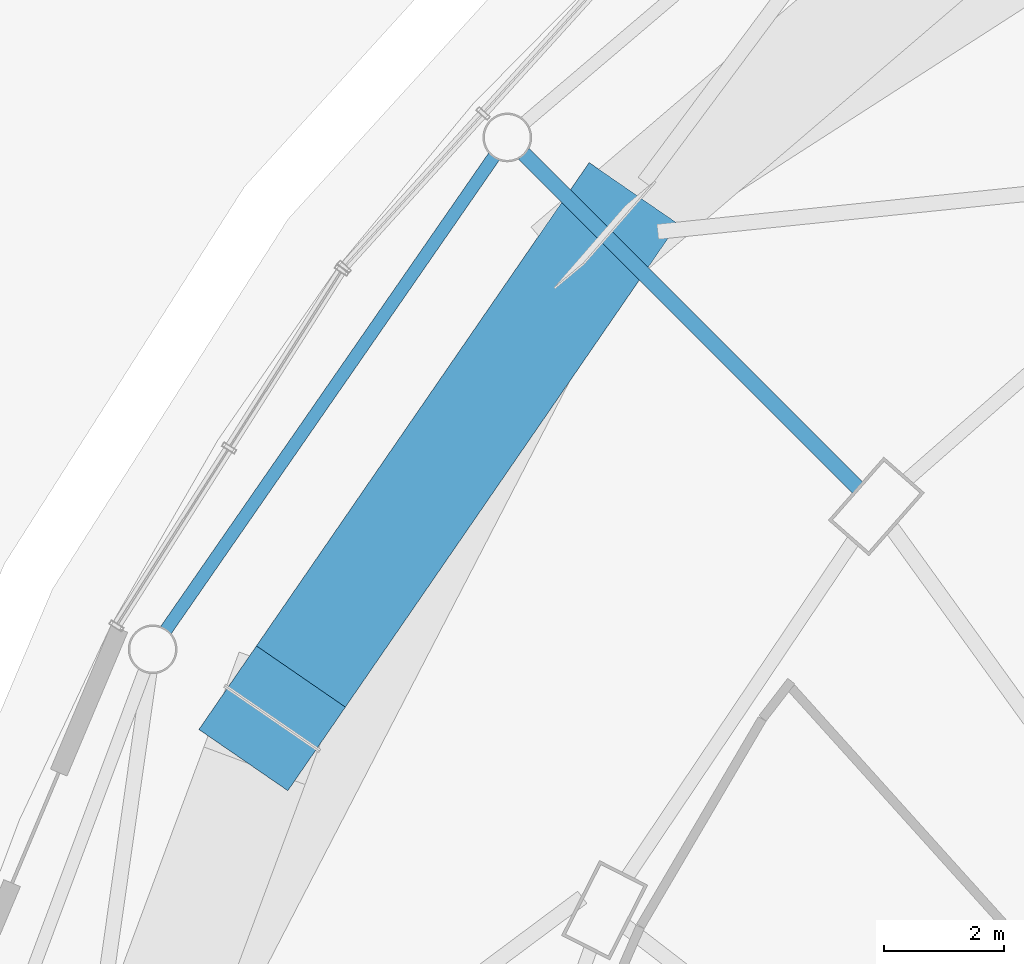
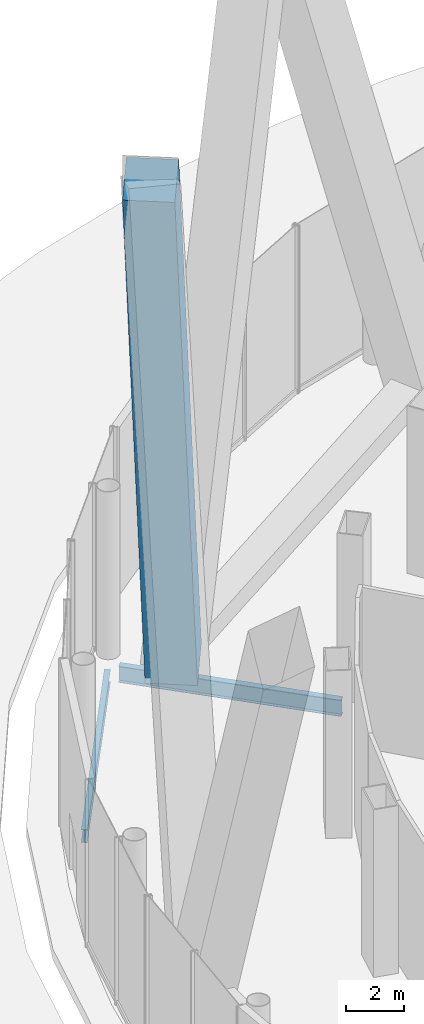
# One storey, part 42 of 67: 2 beams, 1 member.
"""IFC4 building model written with IfcOpenShell, lengths in metres."""

import ifcopenshell
import ifcopenshell.guid

model = None  # the IFC model being written
_history = None  # IfcOwnerHistory: only IFC2X3 demands one
_inside = {}  # id of a spatial element -> (the spatial element, [elements in it])
_under = {}  # id of a project, library or spatial element -> (it, [spatial elements below it])
_declared = {}  # id of a project -> (the project, [libraries it declares])
_typed = {}  # id of a type object -> (the type object, [elements of that type])
_made_of = {}  # id of a material, layer set ... -> (it, [elements and type objects made of it])


def new_model(schema):
    """Start an empty IFC model of exactly this schema.

    Asked for "IFC4X3", IfcOpenShell would pick the latest addendum, in which some entities
    have other attributes; the version numbers below select the first issue.
    IFC2X3 requires an IfcOwnerHistory on every rooted entity: one is made here for all.
    """
    global model, _history
    if schema == "IFC4X3":
        model = ifcopenshell.file(schema_version=(4, 3, 0, 0))
    else:
        model = ifcopenshell.file(schema=schema)
    _inside.clear()
    _under.clear()
    _declared.clear()
    _typed.clear()
    _made_of.clear()
    _history = None
    if model.schema == "IFC2X3":
        org = make("IfcOrganization", Name="unknown")
        user = make(
            "IfcPersonAndOrganization",
            ThePerson=make("IfcPerson", FamilyName="unknown"),
            TheOrganization=org,
        )
        app = make(
            "IfcApplication",
            ApplicationDeveloper=org,
            Version="unknown",
            ApplicationFullName="unknown",
            ApplicationIdentifier="unknown",
        )
        _history = make(
            "IfcOwnerHistory",
            OwningUser=user,
            OwningApplication=app,
            ChangeAction="ADDED",
            CreationDate=0,
        )
    return model


def make(cls, **values):
    """One entity of the class cls with the attributes given. An attribute that is None is left unset."""
    return model.create_entity(
        cls, **{name: value for name, value in values.items() if value is not None}
    )


def rooted(cls, **values):
    """An entity with a GlobalId (a new one), such as an element, a storey or a relation."""
    return make(cls, GlobalId=ifcopenshell.guid.new(), OwnerHistory=_history, **values)


def si_unit(unit_type, name, prefix=None):
    """IfcSIUnit, for example si_unit("LENGTHUNIT", "METRE", prefix="MILLI")."""
    return make("IfcSIUnit", UnitType=unit_type, Prefix=prefix, Name=name)


def assignment(units):
    """IfcUnitAssignment: the units of a project."""
    return None if units is None else make("IfcUnitAssignment", Units=units)


def point(xyz):
    """IfcCartesianPoint."""
    return None if xyz is None else make("IfcCartesianPoint", Coordinates=xyz)


def direction(xyz):
    """IfcDirection."""
    return None if xyz is None else make("IfcDirection", DirectionRatios=xyz)


def frame(location, z_axis=None, x_axis=None):
    """IfcAxis2Placement3D, a coordinate frame: its origin and axes. An axis left out is left unset."""
    return make(
        "IfcAxis2Placement3D",
        Location=point(location),
        Axis=direction(z_axis),
        RefDirection=direction(x_axis),
    )


def frame_2d(location, x_axis=None):
    """IfcAxis2Placement2D, a coordinate frame in the plane: its origin and x axis."""
    return make(
        "IfcAxis2Placement2D", Location=point(location), RefDirection=direction(x_axis)
    )


def origin():
    """The frame at (0, 0, 0) with its axes left unset."""
    return frame((0.0, 0.0, 0.0))


def origin_2d():
    """The frame at (0, 0) in the plane with its x axis left unset."""
    return frame_2d((0.0, 0.0))


def place(relative_to, where):
    """IfcLocalPlacement: puts the frame where relative to a parent placement (None: the world)."""
    return make(
        "IfcLocalPlacement", PlacementRelTo=relative_to, RelativePlacement=where
    )


def context(
    kind, dimensions, precision=None, world=None, true_north=None, identifier=None
):
    """IfcGeometricRepresentationContext, for example the 3D "Model" context."""
    return make(
        "IfcGeometricRepresentationContext",
        ContextIdentifier=identifier,
        ContextType=kind,
        CoordinateSpaceDimension=dimensions,
        Precision=precision,
        WorldCoordinateSystem=world,
        TrueNorth=true_north,
    )


def subcontext(parent, identifier, kind, view, scale=None):
    """IfcGeometricRepresentationSubContext, for example "Body" below "Model"."""
    return make(
        "IfcGeometricRepresentationSubContext",
        ContextIdentifier=identifier,
        ContextType=kind,
        ParentContext=parent,
        TargetScale=scale,
        TargetView=view,
    )


def project(units=None, contexts=None):
    """IfcProject with its units and contexts."""
    return rooted(
        "IfcProject",
        Name="project",
        RepresentationContexts=contexts,
        UnitsInContext=assignment(units),
    )


def spatial(cls, under=None, at=None, **own):
    """A site, building, storey or space (cls), placed at a placement, below another one or the project."""
    s = rooted(cls, ObjectPlacement=at, **own)
    if under is not None:
        _under.setdefault(under.id(), (under, []))[1].append(s)
    return s


def profile(cls, at=None, kind="AREA", **sizes):
    """A parametric profile (cls). Its sizes go by their IFC names, for example OverallWidth=200.0."""
    return make(cls, ProfileType=kind, Position=at, **sizes)


def rectangle(**sizes):
    """IfcRectangleProfileDef."""
    return profile("IfcRectangleProfileDef", **sizes)


def i_section(**sizes):
    """IfcIShapeProfileDef."""
    return profile("IfcIShapeProfileDef", **sizes)


def extrude(swept, where, along, depth):
    """IfcExtrudedAreaSolid: the profile swept, set in the frame where, extruded along a direction by depth."""
    return make(
        "IfcExtrudedAreaSolid",
        SweptArea=swept,
        Position=where,
        ExtrudedDirection=direction(along),
        Depth=depth,
    )


def shape(context_of_items, identifier, shape_type, items):
    """IfcShapeRepresentation: the items that make up one representation, for example the "Body"."""
    return make(
        "IfcShapeRepresentation",
        ContextOfItems=context_of_items,
        RepresentationIdentifier=identifier,
        RepresentationType=shape_type,
        Items=items,
    )


def material(Name=None, Category=None):
    """IfcMaterial."""
    return make("IfcMaterial", Name=Name, Category=Category)


def material_profile(
    of_material, cross_section, Name=None, Category=None, Priority=None
):
    """IfcMaterialProfile: a cross section and its material."""
    return make(
        "IfcMaterialProfile",
        Name=Name,
        Material=of_material,
        Profile=cross_section,
        Priority=Priority,
        Category=Category,
    )


def profile_set(profiles, Name=None, composite=None):
    """IfcMaterialProfileSet."""
    return make(
        "IfcMaterialProfileSet",
        Name=Name,
        MaterialProfiles=profiles,
        CompositeProfile=composite,
    )


def made_of(thing, what):
    """Note that an element or type object is made of a material, layer set ...; save() writes the relation."""
    if what is not None:
        _made_of.setdefault(what.id(), (what, []))[1].append(thing)
    return thing


def type_object(cls, material=None, **own):
    """A type object (cls), such as IfcWallType, which elements share."""
    return made_of(rooted(cls, **own), material)


def element(
    cls,
    number,
    at=None,
    inside=None,
    cuts=None,
    type_object=None,
    material=None,
    context=None,
    identifier="Body",
    shape_type=None,
    held_by="IfcProductDefinitionShape",
    body=None,
    shapes=None,
    **own,
):
    """One element of the class cls, such as IfcWall. Its Tag is "e" and its number.

    at: its placement. inside: the storey or other place that contains it. cuts: it is an
    opening in that element (IfcRelVoidsElement). A single representation is given by context,
    identifier, shape_type and body (its items); several are given by shapes. held_by: the class
    of the entity that holds the representations. save() writes the other relations.
    """
    e = rooted(cls, Tag="e%d" % number, ObjectPlacement=at, **own)
    if body is not None:
        shapes = [shape(context, identifier, shape_type, body)]
    if shapes is not None:
        e.Representation = make(held_by, Representations=shapes)
    if inside is not None:
        _inside.setdefault(inside.id(), (inside, []))[1].append(e)
    if cuts is not None:
        rooted(
            "IfcRelVoidsElement", RelatingBuildingElement=cuts, RelatedOpeningElement=e
        )
    if type_object is not None:
        _typed.setdefault(type_object.id(), (type_object, []))[1].append(e)
    return made_of(e, material)


def aggregate(whole, parts):
    """IfcRelAggregates: a whole, such as a stair, and the parts it consists of."""
    return rooted("IfcRelAggregates", RelatingObject=whole, RelatedObjects=parts)


def save(model, path):
    """Write the relations noted so far, then the file.

    IfcRelAggregates (storeys below a building ...), IfcRelContainedInSpatialStructure (elements
    in a storey), IfcRelDefinesByType, IfcRelAssociatesMaterial and IfcRelDeclares: one each for
    every whole, place, type object, material and project.
    """
    for whole, parts in _under.values():
        aggregate(whole, parts)
    for where, things in _inside.values():
        rooted(
            "IfcRelContainedInSpatialStructure",
            RelatedElements=things,
            RelatingStructure=where,
        )
    for kind, things in _typed.values():
        rooted("IfcRelDefinesByType", RelatedObjects=things, RelatingType=kind)
    for what, things in _made_of.values():
        rooted("IfcRelAssociatesMaterial", RelatedObjects=things, RelatingMaterial=what)
    for by, libraries in _declared.values():
        rooted("IfcRelDeclares", RelatingContext=by, RelatedDefinitions=libraries)
    model.write(path)


model = new_model("IFC4")

# Units and contexts
model_context = context("Model", 3, precision=1e-05, world=origin(), true_north=direction((0.0, 1.0)))
body_context = subcontext(model_context, "Body", "Model", "MODEL_VIEW")
ifc_project = project(units=[si_unit("LENGTHUNIT", "METRE"), si_unit("AREAUNIT", "SQUARE_METRE"), si_unit("VOLUMEUNIT", "CUBIC_METRE"), si_unit("PLANEANGLEUNIT", "RADIAN"), si_unit("MASSUNIT", "GRAM", prefix="KILO")], contexts=[model_context])

# Site, building, storey
site_placement = place(None, origin())
site = spatial("IfcSite", under=ifc_project, at=site_placement, CompositionType="ELEMENT")
building_placement = place(site_placement, origin())
building = spatial("IfcBuilding", under=site, at=building_placement, Name="Nagisa Residences", CompositionType="ELEMENT")
storey_placement = place(building_placement, origin())
storey = spatial("IfcBuildingStorey", under=building, at=storey_placement, Name="L00", CompositionType="ELEMENT", Elevation=0.0)

# Beams
ifc_material_1 = material(Name="Steel ASTM A572 Gr 50", Category="steel")
ifc_material_profile_1 = material_profile(ifc_material_1, i_section(OverallWidth=0.2529296875, OverallDepth=0.677978515625, WebThickness=0.01171875, FlangeThickness=0.016357421875, at=origin_2d()), Name="W690x125")
ifc_profile_set_1 = profile_set([ifc_material_profile_1], Name="Steel ASTM A572 Gr 50")
beam_type_1 = type_object("IfcBeamType", Name="Atrium outer beam W690x125", PredefinedType="BEAM", material=ifc_profile_set_1)
beam_1_placement = place(storey_placement, frame((-16.857177734375, 23.28564453125, -0.739013671875), z_axis=(-0.707106781187, 0.707106781187, 0.0), x_axis=(-0.707106781187, -0.707106781187, 0.0)))
element("IfcBeam", 1, at=beam_1_placement, inside=storey, type_object=beam_type_1, Name="beam:L00:er10", PredefinedType="BEAM", context=body_context, shape_type="SweptSolid", body=[
    extrude(i_section(OverallWidth=0.2529296875, OverallDepth=0.677978515625, WebThickness=0.01171875, FlangeThickness=0.016357421875, at=origin_2d()), origin(), (0.0, 0.0, 1.0), 7.8828125),
])
ifc_material_2 = material(Name="Steel ASTM A572 Gr 50", Category="steel")
ifc_material_profile_2 = material_profile(ifc_material_2, i_section(OverallWidth=0.214111328125, OverallDepth=0.549072265625, WebThickness=0.0146484375, FlangeThickness=0.023681640625, at=origin_2d()), Name="W530x138")
ifc_profile_set_2 = profile_set([ifc_material_profile_2], Name="Steel ASTM A572 Gr 50")
beam_type_2 = type_object("IfcBeamType", Name="Atrium ring beam W530x138", PredefinedType="BEAM", material=ifc_profile_set_2)
beam_2_placement = place(storey_placement, frame((-22.924560546875, 28.815185546875, -0.674560546875), z_axis=(-0.569488756983, -0.821999121453, 0.0), x_axis=(0.821999121453, -0.569488756983, 0.0)))
element("IfcBeam", 2, at=beam_2_placement, inside=storey, type_object=beam_type_2, Name="beam:L00:ab10", PredefinedType="BEAM", context=body_context, shape_type="SweptSolid", body=[
    extrude(i_section(OverallWidth=0.214111328125, OverallDepth=0.549072265625, WebThickness=0.0146484375, FlangeThickness=0.023681640625, at=origin_2d()), origin(), (0.0, 0.0, 1.0), 9.607666015625),
])

# Member
ifc_material_3 = material(Name="Concrete C80", Category="concrete")
ifc_material_profile_3 = material_profile(ifc_material_3, rectangle(XDim=1.800048828125, YDim=1.800048828125, at=origin_2d()), Name="C80 1800x1800")
ifc_profile_set_3 = profile_set([ifc_material_profile_3], Name="Concrete C80")
member_type = type_object("IfcMemberType", Name="Cage diagonal 1 C80 1800x1800", PredefinedType="BRACE", material=ifc_profile_set_3)
member_placement = place(storey_placement, frame((-21.078125, 27.50634765625, 0.0), z_axis=(-0.193131089396, -0.280544650217, 0.940210126271), x_axis=(0.823689993177, -0.567040382284, 0.0)))
element("IfcMember", 3, at=member_placement, inside=storey, type_object=member_type, Name="mem:L00:cg1d010", PredefinedType="BRACE", context=body_context, shape_type="SweptSolid", body=[
    extrude(rectangle(XDim=1.800048828125, YDim=1.800048828125, at=origin_2d()), origin(), (0.0, 0.0, 1.0), 28.717041015625),
])

save(model, "model.ifc")
